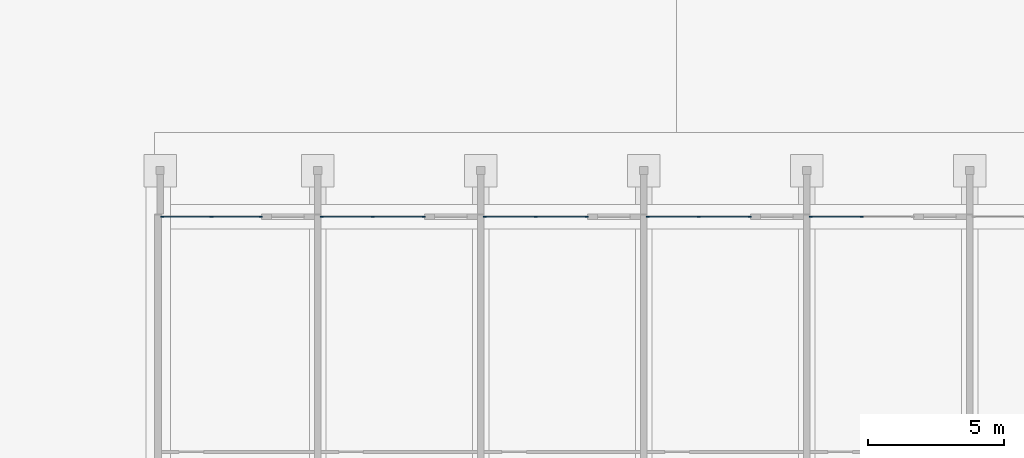
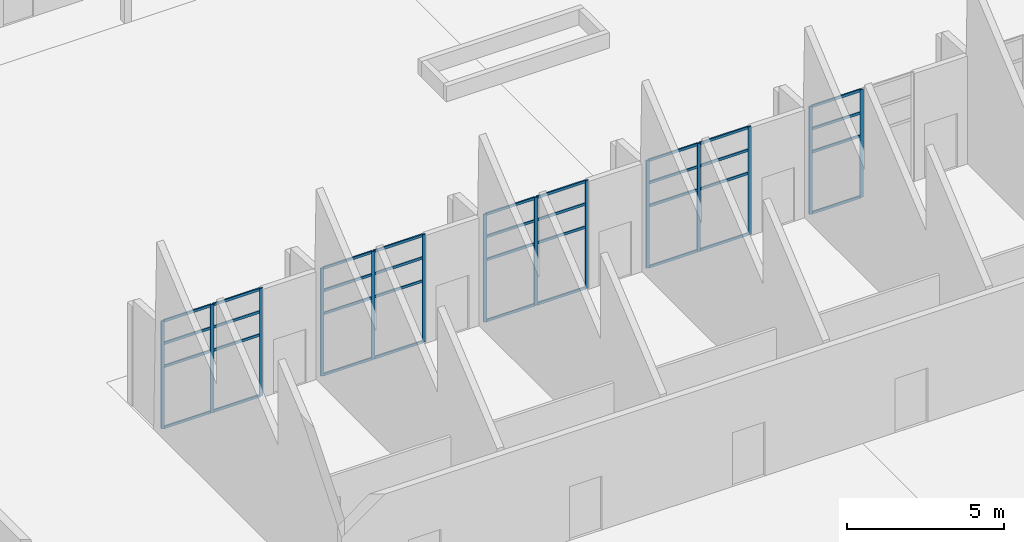
# One storey, part 23 of 112: 50 members, 5 elements without a shape of their own.
"""IFC4 building model written with IfcOpenShell, lengths in metres."""

from ifc_helpers import new_model, si_unit, direction, frame, origin, origin_2d, place, context, subcontext, project, spatial, rectangle, extrude, material, layer, layer_set, material_profile, profile_set, type_object, element, aggregate, save


model = new_model("IFC4")

# Units and contexts
model_context = context("Model", 3, precision=1e-05, world=origin(), true_north=direction((0.0, 1.0)))
body_context = subcontext(model_context, "Body", "Model", "MODEL_VIEW")
ifc_project = project(units=[si_unit("LENGTHUNIT", "METRE"), si_unit("AREAUNIT", "SQUARE_METRE"), si_unit("VOLUMEUNIT", "CUBIC_METRE"), si_unit("PLANEANGLEUNIT", "RADIAN"), si_unit("MASSUNIT", "GRAM", prefix="KILO")], contexts=[model_context])

# Site, building, storey
site_placement = place(None, origin())
site = spatial("IfcSite", under=ifc_project, at=site_placement, CompositionType="ELEMENT")
building_placement = place(site_placement, origin())
building = spatial("IfcBuilding", under=site, at=building_placement, Name="Ridgestep Commons", CompositionType="ELEMENT")
storey_placement = place(building_placement, origin())
storey = spatial("IfcBuildingStorey", under=building, at=storey_placement, Name="L00", CompositionType="ELEMENT", Elevation=0.0)

# Curtain wall, members
ifc_material_1 = material(Name="Aluminium and glass", Category="aluminium")
ifc_layer = layer(ifc_material_1, 0.14990234375)
ifc_layer_set = layer_set([ifc_layer], Name="Shopfront curtain wall")
curtain_wall_type = type_object("IfcCurtainWallType", Name="Shopfront curtain wall", PredefinedType="NOTDEFINED", material=ifc_layer_set)
curtain_wall_1_placement = place(storey_placement, origin())
curtain_wall_1 = element("IfcCurtainWall", 1, at=curtain_wall_1_placement, inside=storey, type_object=curtain_wall_type, Name="Shopfront curtain wall", PredefinedType="NOTDEFINED")
ifc_material_2 = material(Name="Aluminium", Category="aluminium")
ifc_material_profile_1 = material_profile(ifc_material_2, rectangle(XDim=0.050048828125, YDim=0.1201171875, at=origin_2d()), Name="Shopfront mullion 50 x 120")
ifc_profile_set_1 = profile_set([ifc_material_profile_1], Name="Aluminium")
member_type_1 = type_object("IfcMemberType", Name="Shopfront mullion 50 x 120", PredefinedType="MULLION", material=ifc_profile_set_1)
member_1_placement = place(storey_placement, frame((176.074951171875, 45.89990234375, 0.0), z_axis=(0.0, 0.0, 1.0), x_axis=(0.0, 1.0, 0.0)))
member_1 = element("IfcMember", 2, at=member_1_placement, type_object=member_type_1, Name="CW3 mullion 1", PredefinedType="MULLION", context=body_context, shape_type="SweptSolid", body=[
    extrude(rectangle(XDim=0.050048828125, YDim=0.1201171875, at=origin_2d()), origin(), (0.0, 0.0, 1.0), 4.199951171875),
])
member_2_placement = place(storey_placement, frame((177.887451171875, 45.89990234375, 0.0), z_axis=(0.0, 0.0, 1.0), x_axis=(0.0, 1.0, 0.0)))
member_2 = element("IfcMember", 3, at=member_2_placement, type_object=member_type_1, Name="CW3 mullion 2", PredefinedType="MULLION", context=body_context, shape_type="SweptSolid", body=[
    extrude(rectangle(XDim=0.050048828125, YDim=0.1201171875, at=origin_2d()), origin(), (0.0, 0.0, 1.0), 4.199951171875),
])
member_3_placement = place(storey_placement, frame((179.699951171875, 45.89990234375, 0.0), z_axis=(0.0, 0.0, 1.0), x_axis=(0.0, 1.0, 0.0)))
member_3 = element("IfcMember", 4, at=member_3_placement, type_object=member_type_1, Name="CW3 mullion 3", PredefinedType="MULLION", context=body_context, shape_type="SweptSolid", body=[
    extrude(rectangle(XDim=0.050048828125, YDim=0.1201171875, at=origin_2d()), origin(), (0.0, 0.0, 1.0), 4.199951171875),
])

curtain_wall_2_placement = place(storey_placement, origin())
curtain_wall_2 = element("IfcCurtainWall", 5, at=curtain_wall_2_placement, inside=storey, type_object=curtain_wall_type, Name="Shopfront curtain wall", PredefinedType="NOTDEFINED")
member_4_placement = place(storey_placement, frame((181.949951171875, 45.89990234375, 0.0), z_axis=(0.0, 0.0, 1.0), x_axis=(0.0, 1.0, 0.0)))
member_4 = element("IfcMember", 6, at=member_4_placement, type_object=member_type_1, Name="CW3 mullion 1", PredefinedType="MULLION", context=body_context, shape_type="SweptSolid", body=[
    extrude(rectangle(XDim=0.050048828125, YDim=0.1201171875, at=origin_2d()), origin(), (0.0, 0.0, 1.0), 4.199951171875),
])
member_5_placement = place(storey_placement, frame((183.824951171875, 45.89990234375, 0.0), z_axis=(0.0, 0.0, 1.0), x_axis=(0.0, 1.0, 0.0)))
member_5 = element("IfcMember", 7, at=member_5_placement, type_object=member_type_1, Name="CW3 mullion 2", PredefinedType="MULLION", context=body_context, shape_type="SweptSolid", body=[
    extrude(rectangle(XDim=0.050048828125, YDim=0.1201171875, at=origin_2d()), origin(), (0.0, 0.0, 1.0), 4.199951171875),
])
member_6_placement = place(storey_placement, frame((185.699951171875, 45.89990234375, 0.0), z_axis=(0.0, 0.0, 1.0), x_axis=(0.0, 1.0, 0.0)))
member_6 = element("IfcMember", 8, at=member_6_placement, type_object=member_type_1, Name="CW3 mullion 3", PredefinedType="MULLION", context=body_context, shape_type="SweptSolid", body=[
    extrude(rectangle(XDim=0.050048828125, YDim=0.1201171875, at=origin_2d()), origin(), (0.0, 0.0, 1.0), 4.199951171875),
])

curtain_wall_3_placement = place(storey_placement, origin())
curtain_wall_3 = element("IfcCurtainWall", 9, at=curtain_wall_3_placement, inside=storey, type_object=curtain_wall_type, Name="Shopfront curtain wall", PredefinedType="NOTDEFINED")
member_7_placement = place(storey_placement, frame((187.949951171875, 45.89990234375, 0.0), z_axis=(0.0, 0.0, 1.0), x_axis=(0.0, 1.0, 0.0)))
member_7 = element("IfcMember", 10, at=member_7_placement, type_object=member_type_1, Name="CW3 mullion 1", PredefinedType="MULLION", context=body_context, shape_type="SweptSolid", body=[
    extrude(rectangle(XDim=0.050048828125, YDim=0.1201171875, at=origin_2d()), origin(), (0.0, 0.0, 1.0), 4.199951171875),
])
member_8_placement = place(storey_placement, frame((189.824951171875, 45.89990234375, 0.0), z_axis=(0.0, 0.0, 1.0), x_axis=(0.0, 1.0, 0.0)))
member_8 = element("IfcMember", 11, at=member_8_placement, type_object=member_type_1, Name="CW3 mullion 2", PredefinedType="MULLION", context=body_context, shape_type="SweptSolid", body=[
    extrude(rectangle(XDim=0.050048828125, YDim=0.1201171875, at=origin_2d()), origin(), (0.0, 0.0, 1.0), 4.199951171875),
])
member_9_placement = place(storey_placement, frame((191.699951171875, 45.89990234375, 0.0), z_axis=(0.0, 0.0, 1.0), x_axis=(0.0, 1.0, 0.0)))
member_9 = element("IfcMember", 12, at=member_9_placement, type_object=member_type_1, Name="CW3 mullion 3", PredefinedType="MULLION", context=body_context, shape_type="SweptSolid", body=[
    extrude(rectangle(XDim=0.050048828125, YDim=0.1201171875, at=origin_2d()), origin(), (0.0, 0.0, 1.0), 4.199951171875),
])

curtain_wall_4_placement = place(storey_placement, origin())
curtain_wall_4 = element("IfcCurtainWall", 13, at=curtain_wall_4_placement, inside=storey, type_object=curtain_wall_type, Name="Shopfront curtain wall", PredefinedType="NOTDEFINED")
member_10_placement = place(storey_placement, frame((193.949951171875, 45.89990234375, 0.0), z_axis=(0.0, 0.0, 1.0), x_axis=(0.0, 1.0, 0.0)))
member_10 = element("IfcMember", 14, at=member_10_placement, type_object=member_type_1, Name="CW3 mullion 1", PredefinedType="MULLION", context=body_context, shape_type="SweptSolid", body=[
    extrude(rectangle(XDim=0.050048828125, YDim=0.1201171875, at=origin_2d()), origin(), (0.0, 0.0, 1.0), 4.199951171875),
])
member_11_placement = place(storey_placement, frame((195.824951171875, 45.89990234375, 0.0), z_axis=(0.0, 0.0, 1.0), x_axis=(0.0, 1.0, 0.0)))
member_11 = element("IfcMember", 15, at=member_11_placement, type_object=member_type_1, Name="CW3 mullion 2", PredefinedType="MULLION", context=body_context, shape_type="SweptSolid", body=[
    extrude(rectangle(XDim=0.050048828125, YDim=0.1201171875, at=origin_2d()), origin(), (0.0, 0.0, 1.0), 4.199951171875),
])
member_12_placement = place(storey_placement, frame((197.699951171875, 45.89990234375, 0.0), z_axis=(0.0, 0.0, 1.0), x_axis=(0.0, 1.0, 0.0)))
member_12 = element("IfcMember", 16, at=member_12_placement, type_object=member_type_1, Name="CW3 mullion 3", PredefinedType="MULLION", context=body_context, shape_type="SweptSolid", body=[
    extrude(rectangle(XDim=0.050048828125, YDim=0.1201171875, at=origin_2d()), origin(), (0.0, 0.0, 1.0), 4.199951171875),
])

curtain_wall_5_placement = place(storey_placement, origin())
curtain_wall_5 = element("IfcCurtainWall", 17, at=curtain_wall_5_placement, inside=storey, type_object=curtain_wall_type, Name="Shopfront curtain wall", PredefinedType="NOTDEFINED")
member_13_placement = place(storey_placement, frame((199.949951171875, 45.89990234375, 0.0), z_axis=(0.0, 0.0, 1.0), x_axis=(0.0, 1.0, 0.0)))
member_13 = element("IfcMember", 18, at=member_13_placement, type_object=member_type_1, Name="CW3 mullion 1", PredefinedType="MULLION", context=body_context, shape_type="SweptSolid", body=[
    extrude(rectangle(XDim=0.050048828125, YDim=0.1201171875, at=origin_2d()), origin(), (0.0, 0.0, 1.0), 4.199951171875),
])
member_14_placement = place(storey_placement, frame((201.824951171875, 45.89990234375, 0.0), z_axis=(0.0, 0.0, 1.0), x_axis=(0.0, 1.0, 0.0)))
member_14 = element("IfcMember", 19, at=member_14_placement, type_object=member_type_1, Name="CW3 mullion 2", PredefinedType="MULLION", context=body_context, shape_type="SweptSolid", body=[
    extrude(rectangle(XDim=0.050048828125, YDim=0.1201171875, at=origin_2d()), origin(), (0.0, 0.0, 1.0), 4.199951171875),
])

# Member
ifc_material_3 = material(Name="Aluminium", Category="aluminium")
ifc_material_profile_2 = material_profile(ifc_material_3, rectangle(XDim=0.050048828125, YDim=0.10009765625, at=origin_2d()), Name="Shopfront transom 50 x 100")
ifc_profile_set_2 = profile_set([ifc_material_profile_2], Name="Aluminium")
member_type_2 = type_object("IfcMemberType", Name="Shopfront transom 50 x 100", PredefinedType="USERDEFINED", material=ifc_profile_set_2)
member_15_placement = place(storey_placement, frame((176.10009765625, 45.89990234375, 0.02490234375), z_axis=(1.0, 0.0, 0.0), x_axis=(0.0, 1.0, 0.0)))
member_15 = element("IfcMember", 20, at=member_15_placement, type_object=member_type_2, Name="CW3 transom 1.1", ObjectType="TRANSOM", PredefinedType="USERDEFINED", context=body_context, shape_type="SweptSolid", body=[
    extrude(rectangle(XDim=0.050048828125, YDim=0.10009765625, at=origin_2d()), origin(), (0.0, 0.0, 1.0), 1.762451171875),
])

member_16_placement = place(storey_placement, frame((176.10009765625, 45.89990234375, 2.39990234375), z_axis=(1.0, 0.0, 0.0), x_axis=(0.0, 1.0, 0.0)))
member_16 = element("IfcMember", 21, at=member_16_placement, type_object=member_type_2, Name="CW3 transom 1.2", ObjectType="TRANSOM", PredefinedType="USERDEFINED", context=body_context, shape_type="SweptSolid", body=[
    extrude(rectangle(XDim=0.050048828125, YDim=0.10009765625, at=origin_2d()), origin(), (0.0, 0.0, 1.0), 1.762451171875),
])

member_17_placement = place(storey_placement, frame((176.10009765625, 45.89990234375, 3.300048828125), z_axis=(1.0, 0.0, 0.0), x_axis=(0.0, 1.0, 0.0)))
member_17 = element("IfcMember", 22, at=member_17_placement, type_object=member_type_2, Name="CW3 transom 1.3", ObjectType="TRANSOM", PredefinedType="USERDEFINED", context=body_context, shape_type="SweptSolid", body=[
    extrude(rectangle(XDim=0.050048828125, YDim=0.10009765625, at=origin_2d()), origin(), (0.0, 0.0, 1.0), 1.762451171875),
])

member_18_placement = place(storey_placement, frame((176.10009765625, 45.89990234375, 4.175048828125), z_axis=(1.0, 0.0, 0.0), x_axis=(0.0, 1.0, 0.0)))
member_18 = element("IfcMember", 23, at=member_18_placement, type_object=member_type_2, Name="CW3 transom 1.4", ObjectType="TRANSOM", PredefinedType="USERDEFINED", context=body_context, shape_type="SweptSolid", body=[
    extrude(rectangle(XDim=0.050048828125, YDim=0.10009765625, at=origin_2d()), origin(), (0.0, 0.0, 1.0), 1.762451171875),
])

member_19_placement = place(storey_placement, frame((177.91259765625, 45.89990234375, 0.02490234375), z_axis=(1.0, 0.0, 0.0), x_axis=(0.0, 1.0, 0.0)))
member_19 = element("IfcMember", 24, at=member_19_placement, type_object=member_type_2, Name="CW3 transom 2.1", ObjectType="TRANSOM", PredefinedType="USERDEFINED", context=body_context, shape_type="SweptSolid", body=[
    extrude(rectangle(XDim=0.050048828125, YDim=0.10009765625, at=origin_2d()), origin(), (0.0, 0.0, 1.0), 1.762451171875),
])

member_20_placement = place(storey_placement, frame((177.91259765625, 45.89990234375, 2.39990234375), z_axis=(1.0, 0.0, 0.0), x_axis=(0.0, 1.0, 0.0)))
member_20 = element("IfcMember", 25, at=member_20_placement, type_object=member_type_2, Name="CW3 transom 2.2", ObjectType="TRANSOM", PredefinedType="USERDEFINED", context=body_context, shape_type="SweptSolid", body=[
    extrude(rectangle(XDim=0.050048828125, YDim=0.10009765625, at=origin_2d()), origin(), (0.0, 0.0, 1.0), 1.762451171875),
])

member_21_placement = place(storey_placement, frame((177.91259765625, 45.89990234375, 3.300048828125), z_axis=(1.0, 0.0, 0.0), x_axis=(0.0, 1.0, 0.0)))
member_21 = element("IfcMember", 26, at=member_21_placement, type_object=member_type_2, Name="CW3 transom 2.3", ObjectType="TRANSOM", PredefinedType="USERDEFINED", context=body_context, shape_type="SweptSolid", body=[
    extrude(rectangle(XDim=0.050048828125, YDim=0.10009765625, at=origin_2d()), origin(), (0.0, 0.0, 1.0), 1.762451171875),
])

member_22_placement = place(storey_placement, frame((177.91259765625, 45.89990234375, 4.175048828125), z_axis=(1.0, 0.0, 0.0), x_axis=(0.0, 1.0, 0.0)))
member_22 = element("IfcMember", 27, at=member_22_placement, type_object=member_type_2, Name="CW3 transom 2.4", ObjectType="TRANSOM", PredefinedType="USERDEFINED", context=body_context, shape_type="SweptSolid", body=[
    extrude(rectangle(XDim=0.050048828125, YDim=0.10009765625, at=origin_2d()), origin(), (0.0, 0.0, 1.0), 1.762451171875),
])

aggregate(curtain_wall_1, [member_1, member_2, member_3, member_15, member_16, member_17, member_18, member_19, member_20, member_21, member_22])

member_23_placement = place(storey_placement, frame((181.97509765625, 45.89990234375, 0.02490234375), z_axis=(1.0, 0.0, 0.0), x_axis=(0.0, 1.0, 0.0)))
member_23 = element("IfcMember", 28, at=member_23_placement, type_object=member_type_2, Name="CW3 transom 1.1", ObjectType="TRANSOM", PredefinedType="USERDEFINED", context=body_context, shape_type="SweptSolid", body=[
    extrude(rectangle(XDim=0.050048828125, YDim=0.10009765625, at=origin_2d()), origin(), (0.0, 0.0, 1.0), 1.824951171875),
])

member_24_placement = place(storey_placement, frame((181.97509765625, 45.89990234375, 2.39990234375), z_axis=(1.0, 0.0, 0.0), x_axis=(0.0, 1.0, 0.0)))
member_24 = element("IfcMember", 29, at=member_24_placement, type_object=member_type_2, Name="CW3 transom 1.2", ObjectType="TRANSOM", PredefinedType="USERDEFINED", context=body_context, shape_type="SweptSolid", body=[
    extrude(rectangle(XDim=0.050048828125, YDim=0.10009765625, at=origin_2d()), origin(), (0.0, 0.0, 1.0), 1.824951171875),
])

member_25_placement = place(storey_placement, frame((181.97509765625, 45.89990234375, 3.300048828125), z_axis=(1.0, 0.0, 0.0), x_axis=(0.0, 1.0, 0.0)))
member_25 = element("IfcMember", 30, at=member_25_placement, type_object=member_type_2, Name="CW3 transom 1.3", ObjectType="TRANSOM", PredefinedType="USERDEFINED", context=body_context, shape_type="SweptSolid", body=[
    extrude(rectangle(XDim=0.050048828125, YDim=0.10009765625, at=origin_2d()), origin(), (0.0, 0.0, 1.0), 1.824951171875),
])

member_26_placement = place(storey_placement, frame((181.97509765625, 45.89990234375, 4.175048828125), z_axis=(1.0, 0.0, 0.0), x_axis=(0.0, 1.0, 0.0)))
member_26 = element("IfcMember", 31, at=member_26_placement, type_object=member_type_2, Name="CW3 transom 1.4", ObjectType="TRANSOM", PredefinedType="USERDEFINED", context=body_context, shape_type="SweptSolid", body=[
    extrude(rectangle(XDim=0.050048828125, YDim=0.10009765625, at=origin_2d()), origin(), (0.0, 0.0, 1.0), 1.824951171875),
])

member_27_placement = place(storey_placement, frame((183.85009765625, 45.89990234375, 0.02490234375), z_axis=(1.0, 0.0, 0.0), x_axis=(0.0, 1.0, 0.0)))
member_27 = element("IfcMember", 32, at=member_27_placement, type_object=member_type_2, Name="CW3 transom 2.1", ObjectType="TRANSOM", PredefinedType="USERDEFINED", context=body_context, shape_type="SweptSolid", body=[
    extrude(rectangle(XDim=0.050048828125, YDim=0.10009765625, at=origin_2d()), origin(), (0.0, 0.0, 1.0), 1.824951171875),
])

member_28_placement = place(storey_placement, frame((183.85009765625, 45.89990234375, 2.39990234375), z_axis=(1.0, 0.0, 0.0), x_axis=(0.0, 1.0, 0.0)))
member_28 = element("IfcMember", 33, at=member_28_placement, type_object=member_type_2, Name="CW3 transom 2.2", ObjectType="TRANSOM", PredefinedType="USERDEFINED", context=body_context, shape_type="SweptSolid", body=[
    extrude(rectangle(XDim=0.050048828125, YDim=0.10009765625, at=origin_2d()), origin(), (0.0, 0.0, 1.0), 1.824951171875),
])

member_29_placement = place(storey_placement, frame((183.85009765625, 45.89990234375, 3.300048828125), z_axis=(1.0, 0.0, 0.0), x_axis=(0.0, 1.0, 0.0)))
member_29 = element("IfcMember", 34, at=member_29_placement, type_object=member_type_2, Name="CW3 transom 2.3", ObjectType="TRANSOM", PredefinedType="USERDEFINED", context=body_context, shape_type="SweptSolid", body=[
    extrude(rectangle(XDim=0.050048828125, YDim=0.10009765625, at=origin_2d()), origin(), (0.0, 0.0, 1.0), 1.824951171875),
])

member_30_placement = place(storey_placement, frame((183.85009765625, 45.89990234375, 4.175048828125), z_axis=(1.0, 0.0, 0.0), x_axis=(0.0, 1.0, 0.0)))
member_30 = element("IfcMember", 35, at=member_30_placement, type_object=member_type_2, Name="CW3 transom 2.4", ObjectType="TRANSOM", PredefinedType="USERDEFINED", context=body_context, shape_type="SweptSolid", body=[
    extrude(rectangle(XDim=0.050048828125, YDim=0.10009765625, at=origin_2d()), origin(), (0.0, 0.0, 1.0), 1.824951171875),
])

aggregate(curtain_wall_2, [member_4, member_5, member_6, member_23, member_24, member_25, member_26, member_27, member_28, member_29, member_30])

member_31_placement = place(storey_placement, frame((187.97509765625, 45.89990234375, 0.02490234375), z_axis=(1.0, 0.0, 0.0), x_axis=(0.0, 1.0, 0.0)))
member_31 = element("IfcMember", 36, at=member_31_placement, type_object=member_type_2, Name="CW3 transom 1.1", ObjectType="TRANSOM", PredefinedType="USERDEFINED", context=body_context, shape_type="SweptSolid", body=[
    extrude(rectangle(XDim=0.050048828125, YDim=0.10009765625, at=origin_2d()), origin(), (0.0, 0.0, 1.0), 1.824951171875),
])

member_32_placement = place(storey_placement, frame((187.97509765625, 45.89990234375, 2.39990234375), z_axis=(1.0, 0.0, 0.0), x_axis=(0.0, 1.0, 0.0)))
member_32 = element("IfcMember", 37, at=member_32_placement, type_object=member_type_2, Name="CW3 transom 1.2", ObjectType="TRANSOM", PredefinedType="USERDEFINED", context=body_context, shape_type="SweptSolid", body=[
    extrude(rectangle(XDim=0.050048828125, YDim=0.10009765625, at=origin_2d()), origin(), (0.0, 0.0, 1.0), 1.824951171875),
])

member_33_placement = place(storey_placement, frame((187.97509765625, 45.89990234375, 3.300048828125), z_axis=(1.0, 0.0, 0.0), x_axis=(0.0, 1.0, 0.0)))
member_33 = element("IfcMember", 38, at=member_33_placement, type_object=member_type_2, Name="CW3 transom 1.3", ObjectType="TRANSOM", PredefinedType="USERDEFINED", context=body_context, shape_type="SweptSolid", body=[
    extrude(rectangle(XDim=0.050048828125, YDim=0.10009765625, at=origin_2d()), origin(), (0.0, 0.0, 1.0), 1.824951171875),
])

member_34_placement = place(storey_placement, frame((187.97509765625, 45.89990234375, 4.175048828125), z_axis=(1.0, 0.0, 0.0), x_axis=(0.0, 1.0, 0.0)))
member_34 = element("IfcMember", 39, at=member_34_placement, type_object=member_type_2, Name="CW3 transom 1.4", ObjectType="TRANSOM", PredefinedType="USERDEFINED", context=body_context, shape_type="SweptSolid", body=[
    extrude(rectangle(XDim=0.050048828125, YDim=0.10009765625, at=origin_2d()), origin(), (0.0, 0.0, 1.0), 1.824951171875),
])

member_35_placement = place(storey_placement, frame((189.85009765625, 45.89990234375, 0.02490234375), z_axis=(1.0, 0.0, 0.0), x_axis=(0.0, 1.0, 0.0)))
member_35 = element("IfcMember", 40, at=member_35_placement, type_object=member_type_2, Name="CW3 transom 2.1", ObjectType="TRANSOM", PredefinedType="USERDEFINED", context=body_context, shape_type="SweptSolid", body=[
    extrude(rectangle(XDim=0.050048828125, YDim=0.10009765625, at=origin_2d()), origin(), (0.0, 0.0, 1.0), 1.824951171875),
])

member_36_placement = place(storey_placement, frame((189.85009765625, 45.89990234375, 2.39990234375), z_axis=(1.0, 0.0, 0.0), x_axis=(0.0, 1.0, 0.0)))
member_36 = element("IfcMember", 41, at=member_36_placement, type_object=member_type_2, Name="CW3 transom 2.2", ObjectType="TRANSOM", PredefinedType="USERDEFINED", context=body_context, shape_type="SweptSolid", body=[
    extrude(rectangle(XDim=0.050048828125, YDim=0.10009765625, at=origin_2d()), origin(), (0.0, 0.0, 1.0), 1.824951171875),
])

member_37_placement = place(storey_placement, frame((189.85009765625, 45.89990234375, 3.300048828125), z_axis=(1.0, 0.0, 0.0), x_axis=(0.0, 1.0, 0.0)))
member_37 = element("IfcMember", 42, at=member_37_placement, type_object=member_type_2, Name="CW3 transom 2.3", ObjectType="TRANSOM", PredefinedType="USERDEFINED", context=body_context, shape_type="SweptSolid", body=[
    extrude(rectangle(XDim=0.050048828125, YDim=0.10009765625, at=origin_2d()), origin(), (0.0, 0.0, 1.0), 1.824951171875),
])

member_38_placement = place(storey_placement, frame((189.85009765625, 45.89990234375, 4.175048828125), z_axis=(1.0, 0.0, 0.0), x_axis=(0.0, 1.0, 0.0)))
member_38 = element("IfcMember", 43, at=member_38_placement, type_object=member_type_2, Name="CW3 transom 2.4", ObjectType="TRANSOM", PredefinedType="USERDEFINED", context=body_context, shape_type="SweptSolid", body=[
    extrude(rectangle(XDim=0.050048828125, YDim=0.10009765625, at=origin_2d()), origin(), (0.0, 0.0, 1.0), 1.824951171875),
])

aggregate(curtain_wall_3, [member_7, member_8, member_9, member_31, member_32, member_33, member_34, member_35, member_36, member_37, member_38])

member_39_placement = place(storey_placement, frame((193.97509765625, 45.89990234375, 0.02490234375), z_axis=(1.0, 0.0, 0.0), x_axis=(0.0, 1.0, 0.0)))
member_39 = element("IfcMember", 44, at=member_39_placement, type_object=member_type_2, Name="CW3 transom 1.1", ObjectType="TRANSOM", PredefinedType="USERDEFINED", context=body_context, shape_type="SweptSolid", body=[
    extrude(rectangle(XDim=0.050048828125, YDim=0.10009765625, at=origin_2d()), origin(), (0.0, 0.0, 1.0), 1.824951171875),
])

member_40_placement = place(storey_placement, frame((193.97509765625, 45.89990234375, 2.39990234375), z_axis=(1.0, 0.0, 0.0), x_axis=(0.0, 1.0, 0.0)))
member_40 = element("IfcMember", 45, at=member_40_placement, type_object=member_type_2, Name="CW3 transom 1.2", ObjectType="TRANSOM", PredefinedType="USERDEFINED", context=body_context, shape_type="SweptSolid", body=[
    extrude(rectangle(XDim=0.050048828125, YDim=0.10009765625, at=origin_2d()), origin(), (0.0, 0.0, 1.0), 1.824951171875),
])

member_41_placement = place(storey_placement, frame((193.97509765625, 45.89990234375, 3.300048828125), z_axis=(1.0, 0.0, 0.0), x_axis=(0.0, 1.0, 0.0)))
member_41 = element("IfcMember", 46, at=member_41_placement, type_object=member_type_2, Name="CW3 transom 1.3", ObjectType="TRANSOM", PredefinedType="USERDEFINED", context=body_context, shape_type="SweptSolid", body=[
    extrude(rectangle(XDim=0.050048828125, YDim=0.10009765625, at=origin_2d()), origin(), (0.0, 0.0, 1.0), 1.824951171875),
])

member_42_placement = place(storey_placement, frame((193.97509765625, 45.89990234375, 4.175048828125), z_axis=(1.0, 0.0, 0.0), x_axis=(0.0, 1.0, 0.0)))
member_42 = element("IfcMember", 47, at=member_42_placement, type_object=member_type_2, Name="CW3 transom 1.4", ObjectType="TRANSOM", PredefinedType="USERDEFINED", context=body_context, shape_type="SweptSolid", body=[
    extrude(rectangle(XDim=0.050048828125, YDim=0.10009765625, at=origin_2d()), origin(), (0.0, 0.0, 1.0), 1.824951171875),
])

member_43_placement = place(storey_placement, frame((195.85009765625, 45.89990234375, 0.02490234375), z_axis=(1.0, 0.0, 0.0), x_axis=(0.0, 1.0, 0.0)))
member_43 = element("IfcMember", 48, at=member_43_placement, type_object=member_type_2, Name="CW3 transom 2.1", ObjectType="TRANSOM", PredefinedType="USERDEFINED", context=body_context, shape_type="SweptSolid", body=[
    extrude(rectangle(XDim=0.050048828125, YDim=0.10009765625, at=origin_2d()), origin(), (0.0, 0.0, 1.0), 1.824951171875),
])

member_44_placement = place(storey_placement, frame((195.85009765625, 45.89990234375, 2.39990234375), z_axis=(1.0, 0.0, 0.0), x_axis=(0.0, 1.0, 0.0)))
member_44 = element("IfcMember", 49, at=member_44_placement, type_object=member_type_2, Name="CW3 transom 2.2", ObjectType="TRANSOM", PredefinedType="USERDEFINED", context=body_context, shape_type="SweptSolid", body=[
    extrude(rectangle(XDim=0.050048828125, YDim=0.10009765625, at=origin_2d()), origin(), (0.0, 0.0, 1.0), 1.824951171875),
])

member_45_placement = place(storey_placement, frame((195.85009765625, 45.89990234375, 3.300048828125), z_axis=(1.0, 0.0, 0.0), x_axis=(0.0, 1.0, 0.0)))
member_45 = element("IfcMember", 50, at=member_45_placement, type_object=member_type_2, Name="CW3 transom 2.3", ObjectType="TRANSOM", PredefinedType="USERDEFINED", context=body_context, shape_type="SweptSolid", body=[
    extrude(rectangle(XDim=0.050048828125, YDim=0.10009765625, at=origin_2d()), origin(), (0.0, 0.0, 1.0), 1.824951171875),
])

member_46_placement = place(storey_placement, frame((195.85009765625, 45.89990234375, 4.175048828125), z_axis=(1.0, 0.0, 0.0), x_axis=(0.0, 1.0, 0.0)))
member_46 = element("IfcMember", 51, at=member_46_placement, type_object=member_type_2, Name="CW3 transom 2.4", ObjectType="TRANSOM", PredefinedType="USERDEFINED", context=body_context, shape_type="SweptSolid", body=[
    extrude(rectangle(XDim=0.050048828125, YDim=0.10009765625, at=origin_2d()), origin(), (0.0, 0.0, 1.0), 1.824951171875),
])

aggregate(curtain_wall_4, [member_10, member_11, member_12, member_39, member_40, member_41, member_42, member_43, member_44, member_45, member_46])

member_47_placement = place(storey_placement, frame((199.97509765625, 45.89990234375, 0.02490234375), z_axis=(1.0, 0.0, 0.0), x_axis=(0.0, 1.0, 0.0)))
member_47 = element("IfcMember", 52, at=member_47_placement, type_object=member_type_2, Name="CW3 transom 1.1", ObjectType="TRANSOM", PredefinedType="USERDEFINED", context=body_context, shape_type="SweptSolid", body=[
    extrude(rectangle(XDim=0.050048828125, YDim=0.10009765625, at=origin_2d()), origin(), (0.0, 0.0, 1.0), 1.824951171875),
])

member_48_placement = place(storey_placement, frame((199.97509765625, 45.89990234375, 2.39990234375), z_axis=(1.0, 0.0, 0.0), x_axis=(0.0, 1.0, 0.0)))
member_48 = element("IfcMember", 53, at=member_48_placement, type_object=member_type_2, Name="CW3 transom 1.2", ObjectType="TRANSOM", PredefinedType="USERDEFINED", context=body_context, shape_type="SweptSolid", body=[
    extrude(rectangle(XDim=0.050048828125, YDim=0.10009765625, at=origin_2d()), origin(), (0.0, 0.0, 1.0), 1.824951171875),
])

member_49_placement = place(storey_placement, frame((199.97509765625, 45.89990234375, 3.300048828125), z_axis=(1.0, 0.0, 0.0), x_axis=(0.0, 1.0, 0.0)))
member_49 = element("IfcMember", 54, at=member_49_placement, type_object=member_type_2, Name="CW3 transom 1.3", ObjectType="TRANSOM", PredefinedType="USERDEFINED", context=body_context, shape_type="SweptSolid", body=[
    extrude(rectangle(XDim=0.050048828125, YDim=0.10009765625, at=origin_2d()), origin(), (0.0, 0.0, 1.0), 1.824951171875),
])

member_50_placement = place(storey_placement, frame((199.97509765625, 45.89990234375, 4.175048828125), z_axis=(1.0, 0.0, 0.0), x_axis=(0.0, 1.0, 0.0)))
member_50 = element("IfcMember", 55, at=member_50_placement, type_object=member_type_2, Name="CW3 transom 1.4", ObjectType="TRANSOM", PredefinedType="USERDEFINED", context=body_context, shape_type="SweptSolid", body=[
    extrude(rectangle(XDim=0.050048828125, YDim=0.10009765625, at=origin_2d()), origin(), (0.0, 0.0, 1.0), 1.824951171875),
])

aggregate(curtain_wall_5, [member_13, member_14, member_47, member_48, member_49, member_50])

save(model, "model.ifc")
